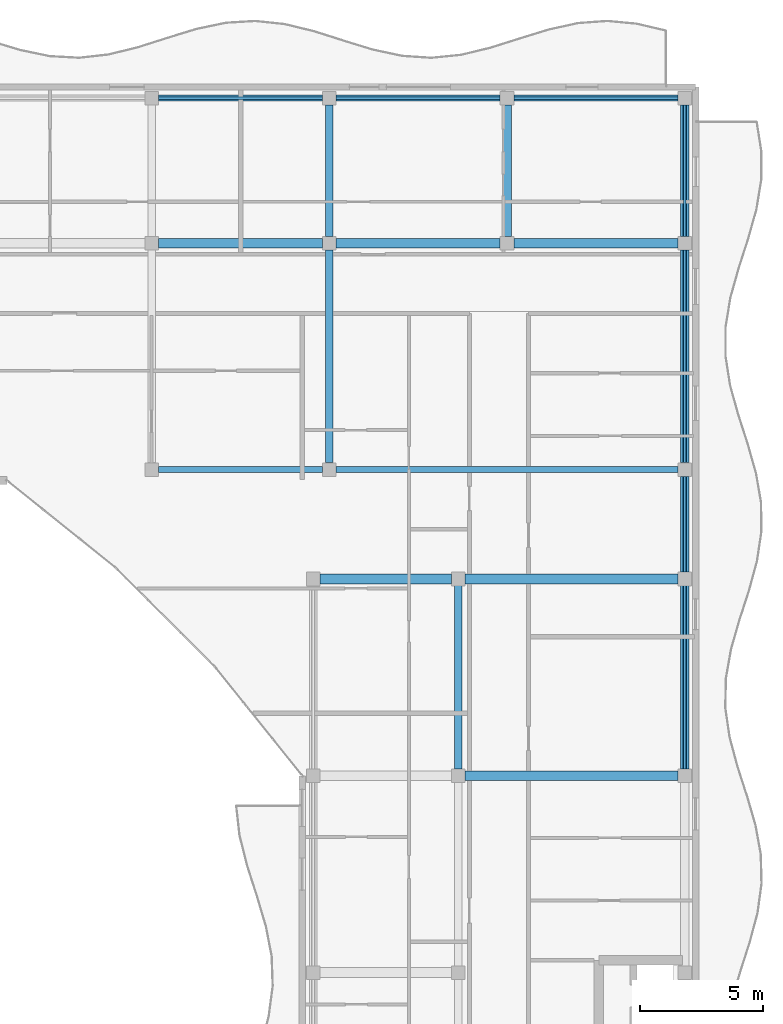
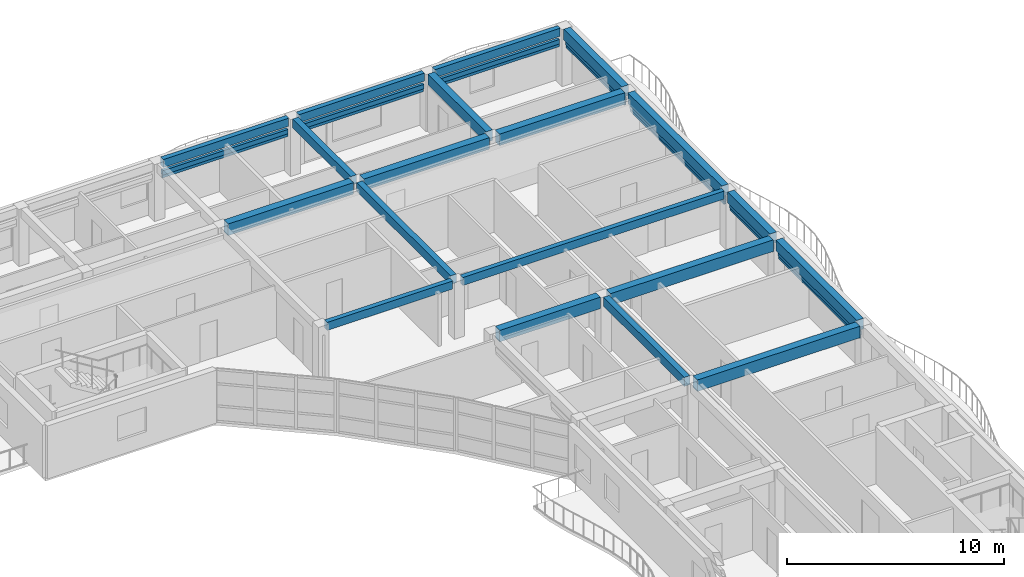
# One storey, part 21 of 68: 19 beams, 14 members.
"""IFC4 building model written with IfcOpenShell, lengths in metres."""

import ifcopenshell
import ifcopenshell.guid

model = None  # the IFC model being written
_history = None  # IfcOwnerHistory: only IFC2X3 demands one
_inside = {}  # id of a spatial element -> (the spatial element, [elements in it])
_under = {}  # id of a project, library or spatial element -> (it, [spatial elements below it])
_declared = {}  # id of a project -> (the project, [libraries it declares])
_typed = {}  # id of a type object -> (the type object, [elements of that type])
_made_of = {}  # id of a material, layer set ... -> (it, [elements and type objects made of it])


def new_model(schema):
    """Start an empty IFC model of exactly this schema.

    Asked for "IFC4X3", IfcOpenShell would pick the latest addendum, in which some entities
    have other attributes; the version numbers below select the first issue.
    IFC2X3 requires an IfcOwnerHistory on every rooted entity: one is made here for all.
    """
    global model, _history
    if schema == "IFC4X3":
        model = ifcopenshell.file(schema_version=(4, 3, 0, 0))
    else:
        model = ifcopenshell.file(schema=schema)
    _inside.clear()
    _under.clear()
    _declared.clear()
    _typed.clear()
    _made_of.clear()
    _history = None
    if model.schema == "IFC2X3":
        org = make("IfcOrganization", Name="unknown")
        user = make(
            "IfcPersonAndOrganization",
            ThePerson=make("IfcPerson", FamilyName="unknown"),
            TheOrganization=org,
        )
        app = make(
            "IfcApplication",
            ApplicationDeveloper=org,
            Version="unknown",
            ApplicationFullName="unknown",
            ApplicationIdentifier="unknown",
        )
        _history = make(
            "IfcOwnerHistory",
            OwningUser=user,
            OwningApplication=app,
            ChangeAction="ADDED",
            CreationDate=0,
        )
    return model


def make(cls, **values):
    """One entity of the class cls with the attributes given. An attribute that is None is left unset."""
    return model.create_entity(
        cls, **{name: value for name, value in values.items() if value is not None}
    )


def rooted(cls, **values):
    """An entity with a GlobalId (a new one), such as an element, a storey or a relation."""
    return make(cls, GlobalId=ifcopenshell.guid.new(), OwnerHistory=_history, **values)


def si_unit(unit_type, name, prefix=None):
    """IfcSIUnit, for example si_unit("LENGTHUNIT", "METRE", prefix="MILLI")."""
    return make("IfcSIUnit", UnitType=unit_type, Prefix=prefix, Name=name)


def assignment(units):
    """IfcUnitAssignment: the units of a project."""
    return None if units is None else make("IfcUnitAssignment", Units=units)


def point(xyz):
    """IfcCartesianPoint."""
    return None if xyz is None else make("IfcCartesianPoint", Coordinates=xyz)


def direction(xyz):
    """IfcDirection."""
    return None if xyz is None else make("IfcDirection", DirectionRatios=xyz)


def frame(location, z_axis=None, x_axis=None):
    """IfcAxis2Placement3D, a coordinate frame: its origin and axes. An axis left out is left unset."""
    return make(
        "IfcAxis2Placement3D",
        Location=point(location),
        Axis=direction(z_axis),
        RefDirection=direction(x_axis),
    )


def frame_2d(location, x_axis=None):
    """IfcAxis2Placement2D, a coordinate frame in the plane: its origin and x axis."""
    return make(
        "IfcAxis2Placement2D", Location=point(location), RefDirection=direction(x_axis)
    )


def origin():
    """The frame at (0, 0, 0) with its axes left unset."""
    return frame((0.0, 0.0, 0.0))


def origin_2d():
    """The frame at (0, 0) in the plane with its x axis left unset."""
    return frame_2d((0.0, 0.0))


def place(relative_to, where):
    """IfcLocalPlacement: puts the frame where relative to a parent placement (None: the world)."""
    return make(
        "IfcLocalPlacement", PlacementRelTo=relative_to, RelativePlacement=where
    )


def context(
    kind, dimensions, precision=None, world=None, true_north=None, identifier=None
):
    """IfcGeometricRepresentationContext, for example the 3D "Model" context."""
    return make(
        "IfcGeometricRepresentationContext",
        ContextIdentifier=identifier,
        ContextType=kind,
        CoordinateSpaceDimension=dimensions,
        Precision=precision,
        WorldCoordinateSystem=world,
        TrueNorth=true_north,
    )


def subcontext(parent, identifier, kind, view, scale=None):
    """IfcGeometricRepresentationSubContext, for example "Body" below "Model"."""
    return make(
        "IfcGeometricRepresentationSubContext",
        ContextIdentifier=identifier,
        ContextType=kind,
        ParentContext=parent,
        TargetScale=scale,
        TargetView=view,
    )


def project(units=None, contexts=None):
    """IfcProject with its units and contexts."""
    return rooted(
        "IfcProject",
        Name="project",
        RepresentationContexts=contexts,
        UnitsInContext=assignment(units),
    )


def spatial(cls, under=None, at=None, **own):
    """A site, building, storey or space (cls), placed at a placement, below another one or the project."""
    s = rooted(cls, ObjectPlacement=at, **own)
    if under is not None:
        _under.setdefault(under.id(), (under, []))[1].append(s)
    return s


def profile(cls, at=None, kind="AREA", **sizes):
    """A parametric profile (cls). Its sizes go by their IFC names, for example OverallWidth=200.0."""
    return make(cls, ProfileType=kind, Position=at, **sizes)


def rectangle(**sizes):
    """IfcRectangleProfileDef."""
    return profile("IfcRectangleProfileDef", **sizes)


def hollow_rectangle(**sizes):
    """IfcRectangleHollowProfileDef."""
    return profile("IfcRectangleHollowProfileDef", **sizes)


def extrude(swept, where, along, depth):
    """IfcExtrudedAreaSolid: the profile swept, set in the frame where, extruded along a direction by depth."""
    return make(
        "IfcExtrudedAreaSolid",
        SweptArea=swept,
        Position=where,
        ExtrudedDirection=direction(along),
        Depth=depth,
    )


def shape(context_of_items, identifier, shape_type, items):
    """IfcShapeRepresentation: the items that make up one representation, for example the "Body"."""
    return make(
        "IfcShapeRepresentation",
        ContextOfItems=context_of_items,
        RepresentationIdentifier=identifier,
        RepresentationType=shape_type,
        Items=items,
    )


def material(Name=None, Category=None):
    """IfcMaterial."""
    return make("IfcMaterial", Name=Name, Category=Category)


def material_profile(
    of_material, cross_section, Name=None, Category=None, Priority=None
):
    """IfcMaterialProfile: a cross section and its material."""
    return make(
        "IfcMaterialProfile",
        Name=Name,
        Material=of_material,
        Profile=cross_section,
        Priority=Priority,
        Category=Category,
    )


def profile_set(profiles, Name=None, composite=None):
    """IfcMaterialProfileSet."""
    return make(
        "IfcMaterialProfileSet",
        Name=Name,
        MaterialProfiles=profiles,
        CompositeProfile=composite,
    )


def made_of(thing, what):
    """Note that an element or type object is made of a material, layer set ...; save() writes the relation."""
    if what is not None:
        _made_of.setdefault(what.id(), (what, []))[1].append(thing)
    return thing


def type_object(cls, material=None, **own):
    """A type object (cls), such as IfcWallType, which elements share."""
    return made_of(rooted(cls, **own), material)


def element(
    cls,
    number,
    at=None,
    inside=None,
    cuts=None,
    type_object=None,
    material=None,
    context=None,
    identifier="Body",
    shape_type=None,
    held_by="IfcProductDefinitionShape",
    body=None,
    shapes=None,
    **own,
):
    """One element of the class cls, such as IfcWall. Its Tag is "e" and its number.

    at: its placement. inside: the storey or other place that contains it. cuts: it is an
    opening in that element (IfcRelVoidsElement). A single representation is given by context,
    identifier, shape_type and body (its items); several are given by shapes. held_by: the class
    of the entity that holds the representations. save() writes the other relations.
    """
    e = rooted(cls, Tag="e%d" % number, ObjectPlacement=at, **own)
    if body is not None:
        shapes = [shape(context, identifier, shape_type, body)]
    if shapes is not None:
        e.Representation = make(held_by, Representations=shapes)
    if inside is not None:
        _inside.setdefault(inside.id(), (inside, []))[1].append(e)
    if cuts is not None:
        rooted(
            "IfcRelVoidsElement", RelatingBuildingElement=cuts, RelatedOpeningElement=e
        )
    if type_object is not None:
        _typed.setdefault(type_object.id(), (type_object, []))[1].append(e)
    return made_of(e, material)


def aggregate(whole, parts):
    """IfcRelAggregates: a whole, such as a stair, and the parts it consists of."""
    return rooted("IfcRelAggregates", RelatingObject=whole, RelatedObjects=parts)


def save(model, path):
    """Write the relations noted so far, then the file.

    IfcRelAggregates (storeys below a building ...), IfcRelContainedInSpatialStructure (elements
    in a storey), IfcRelDefinesByType, IfcRelAssociatesMaterial and IfcRelDeclares: one each for
    every whole, place, type object, material and project.
    """
    for whole, parts in _under.values():
        aggregate(whole, parts)
    for where, things in _inside.values():
        rooted(
            "IfcRelContainedInSpatialStructure",
            RelatedElements=things,
            RelatingStructure=where,
        )
    for kind, things in _typed.values():
        rooted("IfcRelDefinesByType", RelatedObjects=things, RelatingType=kind)
    for what, things in _made_of.values():
        rooted("IfcRelAssociatesMaterial", RelatedObjects=things, RelatingMaterial=what)
    for by, libraries in _declared.values():
        rooted("IfcRelDeclares", RelatingContext=by, RelatedDefinitions=libraries)
    model.write(path)


model = new_model("IFC4")

# Units and contexts
model_context = context("Model", 3, precision=1e-05, world=origin(), true_north=direction((0.0, 1.0)))
body_context = subcontext(model_context, "Body", "Model", "MODEL_VIEW")
ifc_project = project(units=[si_unit("LENGTHUNIT", "METRE"), si_unit("AREAUNIT", "SQUARE_METRE"), si_unit("VOLUMEUNIT", "CUBIC_METRE"), si_unit("PLANEANGLEUNIT", "RADIAN"), si_unit("MASSUNIT", "GRAM", prefix="KILO")], contexts=[model_context])

# Site, building, storey
site_placement = place(None, origin())
site = spatial("IfcSite", under=ifc_project, at=site_placement, CompositionType="ELEMENT")
building_placement = place(site_placement, origin())
building = spatial("IfcBuilding", under=site, at=building_placement, Name="Keldmere Railside Commons", CompositionType="ELEMENT")
storey_placement = place(building_placement, frame((0.0, 0.0, 23.360107421875)))
storey = spatial("IfcBuildingStorey", under=building, at=storey_placement, Name="L07", CompositionType="ELEMENT", Elevation=23.360107421875)

# Members
ifc_material_1 = material(Name="Steel F-36 (S355)", Category="steel")
ifc_material_profile_1 = material_profile(ifc_material_1, hollow_rectangle(XDim=0.14990234375, YDim=0.25, WallThickness=0.010009765625, at=origin_2d()), Name="RHS-250x150x10")
ifc_profile_set_1 = profile_set([ifc_material_profile_1], Name="Steel F-36 (S355)")
member_type_1 = type_object("IfcMemberType", Name="Balcony Continuous Planted Trough RHS250x150", PredefinedType="CHORD", material=ifc_profile_set_1)
for number, where, z_axis, x_axis, name in (
    (1, (162.1650390625, 115.550048828125, 2.414794921875), (1.0, 0.0, 0.0), (0.0, 1.0, 0.0), "PLT-1 MEM-BPLT-0843"),
    (2, (169.385009765625, 115.550048828125, 2.414794921875), (1.0, 0.0, 0.0), (0.0, 1.0, 0.0), "PLT-1 MEM-BPLT-0845"),
    (3, (176.60498046875, 115.550048828125, 2.414794921875), (1.0, 0.0, 0.0), (0.0, 1.0, 0.0), "PLT-1 MEM-BPLT-0847"),
):
    element("IfcMember", number, at=place(storey_placement, frame(where, z_axis=z_axis, x_axis=x_axis)), inside=storey, type_object=member_type_1, Name=name, PredefinedType="CHORD", context=body_context, shape_type="SweptSolid", body=[
        extrude(hollow_rectangle(XDim=0.14990234375, YDim=0.25, WallThickness=0.010009765625, at=origin_2d()), origin(), (0.0, 0.0, 1.0), 6.669921875),
    ])
member_1_placement = place(storey_placement, frame((183.550048828125, 88.27490234375, 2.414794921875), z_axis=(0.0, 1.0, 0.0), x_axis=(-1.0, 0.0, 0.0)))
element("IfcMember", 4, at=member_1_placement, inside=storey, type_object=member_type_1, Name="PLT-1 MEM-BPLT-0861", PredefinedType="CHORD", context=body_context, shape_type="SweptSolid", body=[
    extrude(hollow_rectangle(XDim=0.14990234375, YDim=0.25, WallThickness=0.010009765625, at=origin_2d()), origin(), (0.0, 0.0, 1.0), 7.4501953125),
])
member_2_placement = place(storey_placement, frame((183.550048828125, 96.27490234375, 2.414794921875), z_axis=(0.0, 1.0, 0.0), x_axis=(-1.0, 0.0, 0.0)))
element("IfcMember", 5, at=member_2_placement, inside=storey, type_object=member_type_1, Name="PLT-1 MEM-BPLT-0863", PredefinedType="CHORD", context=body_context, shape_type="SweptSolid", body=[
    extrude(hollow_rectangle(XDim=0.14990234375, YDim=0.25, WallThickness=0.010009765625, at=origin_2d()), origin(), (0.0, 0.0, 1.0), 3.900146484375),
])
member_3_placement = place(storey_placement, frame((183.550048828125, 100.72509765625, 2.414794921875), z_axis=(0.0, 1.0, 0.0), x_axis=(-1.0, 0.0, 0.0)))
element("IfcMember", 6, at=member_3_placement, inside=storey, type_object=member_type_1, Name="PLT-1 MEM-BPLT-0865", PredefinedType="CHORD", context=body_context, shape_type="SweptSolid", body=[
    extrude(hollow_rectangle(XDim=0.14990234375, YDim=0.25, WallThickness=0.010009765625, at=origin_2d()), origin(), (0.0, 0.0, 1.0), 8.64990234375),
])
member_4_placement = place(storey_placement, frame((183.550048828125, 109.925048828125, 2.414794921875), z_axis=(0.0, 1.0, 0.0), x_axis=(-1.0, 0.0, 0.0)))
element("IfcMember", 7, at=member_4_placement, inside=storey, type_object=member_type_1, Name="PLT-1 MEM-BPLT-0867", PredefinedType="CHORD", context=body_context, shape_type="SweptSolid", body=[
    extrude(hollow_rectangle(XDim=0.14990234375, YDim=0.25, WallThickness=0.010009765625, at=origin_2d()), origin(), (0.0, 0.0, 1.0), 5.349853515625),
])

# Beams
ifc_material_2 = material(Name="Architectural Precast Concrete H-35 (C35/45)", Category="concrete")
ifc_material_profile_2 = material_profile(ifc_material_2, rectangle(XDim=0.25, YDim=0.449951171875, at=origin_2d()), Name="RC-250x450")
ifc_profile_set_2 = profile_set([ifc_material_profile_2], Name="Architectural Precast Concrete H-35 (C35/45)")
beam_type_1 = type_object("IfcBeamType", Name="Perimeter Precast Spandrel Beam 250x450", PredefinedType="SPANDREL", material=ifc_profile_set_2)
beam_1_placement = place(storey_placement, frame((162.1650390625, 100.449951171875, 2.974853515625), z_axis=(1.0, 0.0, 0.0), x_axis=(0.0, 1.0, 0.0)))
element("IfcBeam", 8, at=beam_1_placement, inside=storey, type_object=beam_type_1, Name="SPB-1 BM-L07-2062", PredefinedType="SPANDREL", context=body_context, shape_type="SweptSolid", body=[
    extrude(rectangle(XDim=0.25, YDim=0.449951171875, at=origin_2d()), origin(), (0.0, 0.0, 1.0), 6.669921875),
])
beam_2_placement = place(storey_placement, frame((169.385009765625, 100.449951171875, 2.974853515625), z_axis=(1.0, 0.0, 0.0), x_axis=(0.0, 1.0, 0.0)))
element("IfcBeam", 9, at=beam_2_placement, inside=storey, type_object=beam_type_1, Name="SPB-1 BM-L07-2063", PredefinedType="SPANDREL", context=body_context, shape_type="SweptSolid", body=[
    extrude(rectangle(XDim=0.25, YDim=0.449951171875, at=origin_2d()), origin(), (0.0, 0.0, 1.0), 13.889892578125),
])
for number, where, z_axis, x_axis, name in (
    (10, (162.1650390625, 115.550048828125, 2.974853515625), (1.0, 0.0, 0.0), (0.0, 1.0, 0.0), "SPB-1 BM-L07-2091"),
    (11, (169.385009765625, 115.550048828125, 2.974853515625), (1.0, 0.0, 0.0), (0.0, 1.0, 0.0), "SPB-1 BM-L07-2092"),
    (12, (176.60498046875, 115.550048828125, 2.974853515625), (1.0, 0.0, 0.0), (0.0, 1.0, 0.0), "SPB-1 BM-L07-2093"),
):
    element("IfcBeam", number, at=place(storey_placement, frame(where, z_axis=z_axis, x_axis=x_axis)), inside=storey, type_object=beam_type_1, Name=name, PredefinedType="SPANDREL", context=body_context, shape_type="SweptSolid", body=[
        extrude(rectangle(XDim=0.25, YDim=0.449951171875, at=origin_2d()), origin(), (0.0, 0.0, 1.0), 6.669921875),
    ])
ifc_material_3 = material(Name="Concrete H-30 (C30/37)", Category="concrete")
ifc_material_profile_3 = material_profile(ifc_material_3, rectangle(XDim=0.35009765625, YDim=0.60009765625, at=origin_2d()), Name="RC-350x600")
ifc_profile_set_3 = profile_set([ifc_material_profile_3], Name="Concrete H-30 (C30/37)")
beam_type_2 = type_object("IfcBeamType", Name="Residential Chord RC Beam 350x600", PredefinedType="BEAM", material=ifc_profile_set_3)
beam_3_placement = place(storey_placement, frame((176.330078125, 109.925048828125, 2.89990234375), z_axis=(0.0, 1.0, 0.0), x_axis=(-1.0, 0.0, 0.0)))
element("IfcBeam", 13, at=beam_3_placement, inside=storey, type_object=beam_type_2, Name="BG-4 BM-L07-2157", PredefinedType="BEAM", context=body_context, shape_type="SweptSolid", body=[
    extrude(rectangle(XDim=0.35009765625, YDim=0.60009765625, at=origin_2d()), origin(), (0.0, 0.0, 1.0), 5.349853515625),
])
beam_4_placement = place(storey_placement, frame((183.550048828125, 88.27490234375, 2.89990234375), z_axis=(0.0, 1.0, 0.0), x_axis=(-1.0, 0.0, 0.0)))
element("IfcBeam", 14, at=beam_4_placement, inside=storey, type_object=beam_type_2, Name="BG-4 BM-L07-2160", PredefinedType="BEAM", context=body_context, shape_type="SweptSolid", body=[
    extrude(rectangle(XDim=0.35009765625, YDim=0.60009765625, at=origin_2d()), origin(), (0.0, 0.0, 1.0), 7.4501953125),
])
beam_5_placement = place(storey_placement, frame((183.550048828125, 96.27490234375, 2.89990234375), z_axis=(0.0, 1.0, 0.0), x_axis=(-1.0, 0.0, 0.0)))
element("IfcBeam", 15, at=beam_5_placement, inside=storey, type_object=beam_type_2, Name="BG-4 BM-L07-2161", PredefinedType="BEAM", context=body_context, shape_type="SweptSolid", body=[
    extrude(rectangle(XDim=0.35009765625, YDim=0.60009765625, at=origin_2d()), origin(), (0.0, 0.0, 1.0), 3.900146484375),
])
beam_6_placement = place(storey_placement, frame((183.550048828125, 100.72509765625, 2.89990234375), z_axis=(0.0, 1.0, 0.0), x_axis=(-1.0, 0.0, 0.0)))
element("IfcBeam", 16, at=beam_6_placement, inside=storey, type_object=beam_type_2, Name="BG-4 BM-L07-2162", PredefinedType="BEAM", context=body_context, shape_type="SweptSolid", body=[
    extrude(rectangle(XDim=0.35009765625, YDim=0.60009765625, at=origin_2d()), origin(), (0.0, 0.0, 1.0), 8.64990234375),
])
beam_7_placement = place(storey_placement, frame((183.550048828125, 109.925048828125, 2.89990234375), z_axis=(0.0, 1.0, 0.0), x_axis=(-1.0, 0.0, 0.0)))
element("IfcBeam", 17, at=beam_7_placement, inside=storey, type_object=beam_type_2, Name="BG-4 BM-L07-2163", PredefinedType="BEAM", context=body_context, shape_type="SweptSolid", body=[
    extrude(rectangle(XDim=0.35009765625, YDim=0.60009765625, at=origin_2d()), origin(), (0.0, 0.0, 1.0), 5.349853515625),
])
ifc_material_profile_4 = material_profile(ifc_material_3, rectangle(XDim=0.39990234375, YDim=0.64990234375, at=origin_2d()), Name="RC-400x650")
ifc_profile_set_4 = profile_set([ifc_material_profile_4], Name="Concrete H-30 (C30/37)")
beam_type_3 = type_object("IfcBeamType", Name="Residential Spine RC Girder 400x650", PredefinedType="BEAM", material=ifc_profile_set_4)
beam_8_placement = place(storey_placement, frame((174.625, 88.0, 2.875), z_axis=(1.0, 0.0, 0.0), x_axis=(0.0, 1.0, 0.0)))
element("IfcBeam", 18, at=beam_8_placement, inside=storey, type_object=beam_type_3, Name="BG-3 BM-L07-2045", PredefinedType="BEAM", context=body_context, shape_type="SweptSolid", body=[
    extrude(rectangle(XDim=0.39990234375, YDim=0.64990234375, at=origin_2d()), origin(), (0.0, 0.0, 1.0), 8.64990234375),
])
beam_9_placement = place(storey_placement, frame((168.72509765625, 96.0, 2.875), z_axis=(1.0, 0.0, 0.0), x_axis=(0.0, 1.0, 0.0)))
element("IfcBeam", 19, at=beam_9_placement, inside=storey, type_object=beam_type_3, Name="BG-3 BM-L07-2052", PredefinedType="BEAM", context=body_context, shape_type="SweptSolid", body=[
    extrude(rectangle(XDim=0.39990234375, YDim=0.64990234375, at=origin_2d()), origin(), (0.0, 0.0, 1.0), 5.349853515625),
])
beam_10_placement = place(storey_placement, frame((174.625, 96.0, 2.875), z_axis=(1.0, 0.0, 0.0), x_axis=(0.0, 1.0, 0.0)))
element("IfcBeam", 20, at=beam_10_placement, inside=storey, type_object=beam_type_3, Name="BG-3 BM-L07-2053", PredefinedType="BEAM", context=body_context, shape_type="SweptSolid", body=[
    extrude(rectangle(XDim=0.39990234375, YDim=0.64990234375, at=origin_2d()), origin(), (0.0, 0.0, 1.0), 8.64990234375),
])
for number, where, z_axis, x_axis, name in (
    (21, (162.1650390625, 109.64990234375, 2.875), (1.0, 0.0, 0.0), (0.0, 1.0, 0.0), "BG-3 BM-L07-2080"),
    (22, (169.385009765625, 109.64990234375, 2.875), (1.0, 0.0, 0.0), (0.0, 1.0, 0.0), "BG-3 BM-L07-2081"),
    (23, (176.60498046875, 109.64990234375, 2.875), (1.0, 0.0, 0.0), (0.0, 1.0, 0.0), "BG-3 BM-L07-2082"),
):
    element("IfcBeam", number, at=place(storey_placement, frame(where, z_axis=z_axis, x_axis=x_axis)), inside=storey, type_object=beam_type_3, Name=name, PredefinedType="BEAM", context=body_context, shape_type="SweptSolid", body=[
        extrude(rectangle(XDim=0.39990234375, YDim=0.64990234375, at=origin_2d()), origin(), (0.0, 0.0, 1.0), 6.669921875),
    ])
ifc_material_profile_5 = material_profile(ifc_material_3, rectangle(XDim=0.300048828125, YDim=0.5, at=origin_2d()), Name="RC-300x500")
ifc_profile_set_5 = profile_set([ifc_material_profile_5], Name="Concrete H-30 (C30/37)")
beam_type_4 = type_object("IfcBeamType", Name="Secondary Frame RC Beam 300x500", PredefinedType="BEAM", material=ifc_profile_set_5)
beam_11_placement = place(storey_placement, frame((169.110107421875, 100.72509765625, 2.949951171875), z_axis=(0.0, 1.0, 0.0), x_axis=(-1.0, 0.0, 0.0)))
element("IfcBeam", 24, at=beam_11_placement, inside=storey, type_object=beam_type_4, Name="BG-5 BM-L07-2150", PredefinedType="BEAM", context=body_context, shape_type="SweptSolid", body=[
    extrude(rectangle(XDim=0.300048828125, YDim=0.5, at=origin_2d()), origin(), (0.0, 0.0, 1.0), 8.64990234375),
])
beam_12_placement = place(storey_placement, frame((169.110107421875, 109.925048828125, 2.949951171875), z_axis=(0.0, 1.0, 0.0), x_axis=(-1.0, 0.0, 0.0)))
element("IfcBeam", 25, at=beam_12_placement, inside=storey, type_object=beam_type_4, Name="BG-5 BM-L07-2151", PredefinedType="BEAM", context=body_context, shape_type="SweptSolid", body=[
    extrude(rectangle(XDim=0.300048828125, YDim=0.5, at=origin_2d()), origin(), (0.0, 0.0, 1.0), 5.349853515625),
])
beam_13_placement = place(storey_placement, frame((174.35009765625, 88.27490234375, 2.949951171875), z_axis=(0.0, 1.0, 0.0), x_axis=(-1.0, 0.0, 0.0)))
element("IfcBeam", 26, at=beam_13_placement, inside=storey, type_object=beam_type_4, Name="BG-5 BM-L07-2156", PredefinedType="BEAM", context=body_context, shape_type="SweptSolid", body=[
    extrude(rectangle(XDim=0.300048828125, YDim=0.5, at=origin_2d()), origin(), (0.0, 0.0, 1.0), 7.4501953125),
])

# Members
ifc_material_profile_6 = material_profile(ifc_material_1, hollow_rectangle(XDim=0.10009765625, YDim=0.159912109375, WallThickness=0.008056640625, at=origin_2d()), Name="RHS-160x100x8")
ifc_profile_set_6 = profile_set([ifc_material_profile_6], Name="Steel F-36 (S355)")
member_type_2 = type_object("IfcMemberType", Name="Solar Brise-Soleil Louvre Fin RHS160x100", PredefinedType="STRUT", material=ifc_profile_set_6)
for number, where, z_axis, x_axis, name in (
    (27, (162.1650390625, 115.550048828125, 2.199951171875), (1.0, 0.0, 0.0), (0.0, 1.0, 0.0), "BSF-1 MEM-BSF-0844"),
    (28, (169.385009765625, 115.550048828125, 2.199951171875), (1.0, 0.0, 0.0), (0.0, 1.0, 0.0), "BSF-1 MEM-BSF-0846"),
    (29, (176.60498046875, 115.550048828125, 2.199951171875), (1.0, 0.0, 0.0), (0.0, 1.0, 0.0), "BSF-1 MEM-BSF-0848"),
):
    element("IfcMember", number, at=place(storey_placement, frame(where, z_axis=z_axis, x_axis=x_axis)), inside=storey, type_object=member_type_2, Name=name, PredefinedType="STRUT", context=body_context, shape_type="SweptSolid", body=[
        extrude(hollow_rectangle(XDim=0.10009765625, YDim=0.159912109375, WallThickness=0.008056640625, at=origin_2d()), origin(), (0.0, 0.0, 1.0), 6.669921875),
    ])
member_5_placement = place(storey_placement, frame((183.550048828125, 88.27490234375, 2.199951171875), z_axis=(0.0, 1.0, 0.0), x_axis=(-1.0, 0.0, 0.0)))
element("IfcMember", 30, at=member_5_placement, inside=storey, type_object=member_type_2, Name="BSF-1 MEM-BSF-0862", PredefinedType="STRUT", context=body_context, shape_type="SweptSolid", body=[
    extrude(hollow_rectangle(XDim=0.10009765625, YDim=0.159912109375, WallThickness=0.008056640625, at=origin_2d()), origin(), (0.0, 0.0, 1.0), 7.4501953125),
])
member_6_placement = place(storey_placement, frame((183.550048828125, 96.27490234375, 2.199951171875), z_axis=(0.0, 1.0, 0.0), x_axis=(-1.0, 0.0, 0.0)))
element("IfcMember", 31, at=member_6_placement, inside=storey, type_object=member_type_2, Name="BSF-1 MEM-BSF-0864", PredefinedType="STRUT", context=body_context, shape_type="SweptSolid", body=[
    extrude(hollow_rectangle(XDim=0.10009765625, YDim=0.159912109375, WallThickness=0.008056640625, at=origin_2d()), origin(), (0.0, 0.0, 1.0), 3.900146484375),
])
member_7_placement = place(storey_placement, frame((183.550048828125, 100.72509765625, 2.199951171875), z_axis=(0.0, 1.0, 0.0), x_axis=(-1.0, 0.0, 0.0)))
element("IfcMember", 32, at=member_7_placement, inside=storey, type_object=member_type_2, Name="BSF-1 MEM-BSF-0866", PredefinedType="STRUT", context=body_context, shape_type="SweptSolid", body=[
    extrude(hollow_rectangle(XDim=0.10009765625, YDim=0.159912109375, WallThickness=0.008056640625, at=origin_2d()), origin(), (0.0, 0.0, 1.0), 8.64990234375),
])
member_8_placement = place(storey_placement, frame((183.550048828125, 109.925048828125, 2.199951171875), z_axis=(0.0, 1.0, 0.0), x_axis=(-1.0, 0.0, 0.0)))
element("IfcMember", 33, at=member_8_placement, inside=storey, type_object=member_type_2, Name="BSF-1 MEM-BSF-0868", PredefinedType="STRUT", context=body_context, shape_type="SweptSolid", body=[
    extrude(hollow_rectangle(XDim=0.10009765625, YDim=0.159912109375, WallThickness=0.008056640625, at=origin_2d()), origin(), (0.0, 0.0, 1.0), 5.349853515625),
])

save(model, "model.ifc")
